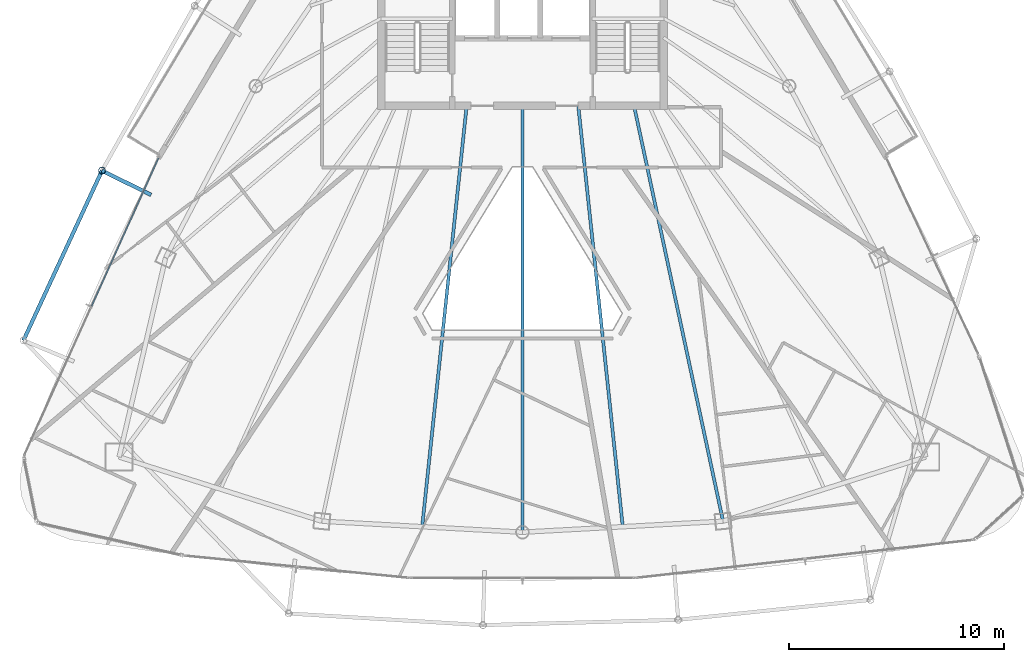
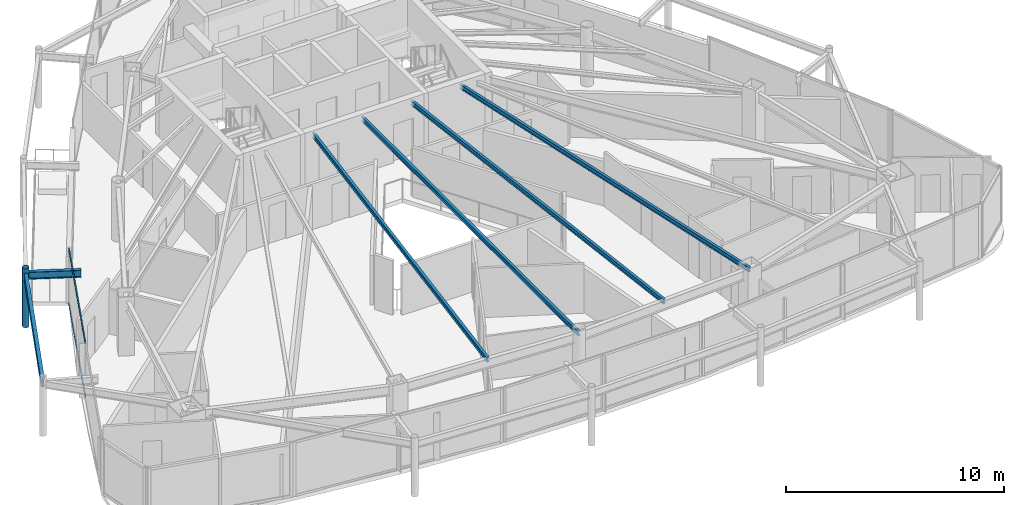
# One storey, part 10 of 33: 6 beams, 3 members, 1 element without a shape of its own.
"""IFC4 building model written with IfcOpenShell, lengths in metres."""

from ifc_helpers import new_model, si_unit, direction, frame, origin, origin_2d, place, context, subcontext, project, spatial, hollow_rectangle, hollow_circle, i_section, extrude, material, layer, layer_set, material_profile, profile_set, type_object, element, aggregate, save


model = new_model("IFC4")

# Units and contexts
model_context = context("Model", 3, precision=1e-05, world=origin(), true_north=direction((0.0, 1.0)))
body_context = subcontext(model_context, "Body", "Model", "MODEL_VIEW")
ifc_project = project(units=[si_unit("LENGTHUNIT", "METRE"), si_unit("AREAUNIT", "SQUARE_METRE"), si_unit("VOLUMEUNIT", "CUBIC_METRE"), si_unit("PLANEANGLEUNIT", "RADIAN"), si_unit("MASSUNIT", "GRAM", prefix="KILO")], contexts=[model_context])

# Site, building, storey
site_placement = place(None, origin())
site = spatial("IfcSite", under=ifc_project, at=site_placement, CompositionType="ELEMENT")
building_placement = place(site_placement, origin())
building = spatial("IfcBuilding", under=site, at=building_placement, Name="Orvanel Arch Residences", CompositionType="ELEMENT")
storey_placement = place(building_placement, frame((0.0, 0.0, 206.300048828125)))
storey = spatial("IfcBuildingStorey", under=building, at=storey_placement, Name="L58", CompositionType="ELEMENT", Elevation=206.300048828125)

# Beams
ifc_material_1 = material(Name="Structural steel AS/NZS 3679.1 Grade 300 (300 MPa)", Category="steel")
ifc_material_profile_1 = material_profile(ifc_material_1, i_section(OverallWidth=0.14599609375, OverallDepth=0.251953125, WebThickness=0.006103515625, FlangeThickness=0.008544921875, at=origin_2d()), Name="250UB31.4")
ifc_profile_set_1 = profile_set([ifc_material_profile_1], Name="Structural steel AS/NZS 3679.1 Grade 300 (300 MPa)")
beam_type_1 = type_object("IfcBeamType", Name="BJ-250UB", PredefinedType="JOIST", material=ifc_profile_set_1)
beam_1_placement = place(storey_placement, frame((38.199951171875, 26.72509765625, 2.933837890625), z_axis=(0.209547604985, -0.977798446125, 0.0), x_axis=(0.977798446125, 0.209547604985, 0.0)))
element("IfcBeam", 1, at=beam_1_placement, inside=storey, type_object=beam_type_1, Name="L58 SE Wing Floor Joist", PredefinedType="JOIST", context=body_context, shape_type="SweptSolid", body=[
    extrude(i_section(OverallWidth=0.14599609375, OverallDepth=0.251953125, WebThickness=0.006103515625, FlangeThickness=0.008544921875, at=origin_2d()), origin(), (0.0, 0.0, 1.0), 19.809814453125),
])
beam_2_placement = place(storey_placement, frame((33.0, 26.72509765625, 2.933837890625), z_axis=(0.0, -1.0, 0.0), x_axis=(1.0, 0.0, 0.0)))
element("IfcBeam", 2, at=beam_2_placement, inside=storey, type_object=beam_type_1, Name="L58 SSW Wing Floor Joist", PredefinedType="JOIST", context=body_context, shape_type="SweptSolid", body=[
    extrude(i_section(OverallWidth=0.14599609375, OverallDepth=0.251953125, WebThickness=0.006103515625, FlangeThickness=0.008544921875, at=origin_2d()), origin(), (0.0, 0.0, 1.0), 19.881103515625),
])
for number, where, z_axis, x_axis, name in (
    (3, (30.39990234375, 26.72509765625, 2.933837890625), (-0.105143936131, -0.994457014, 0.0), (0.994457014, -0.105143936131, 0.0), "L58 WSW2 Wing Floor Joist"),
    (4, (35.60009765625, 26.72509765625, 2.933837890625), (0.105143936131, -0.994457014, 0.0), (0.994457014, 0.105143936131, 0.0), "L58 ESE2 Wing Floor Joist"),
):
    element("IfcBeam", number, at=place(storey_placement, frame(where, z_axis=z_axis, x_axis=x_axis)), inside=storey, type_object=beam_type_1, Name=name, PredefinedType="JOIST", context=body_context, shape_type="SweptSolid", body=[
        extrude(i_section(OverallWidth=0.14599609375, OverallDepth=0.251953125, WebThickness=0.006103515625, FlangeThickness=0.008544921875, at=origin_2d()), origin(), (0.0, 0.0, 1.0), 19.734375),
    ])
ifc_material_profile_2 = material_profile(ifc_material_1, i_section(OverallWidth=0.177978515625, OverallDepth=0.406005859375, WebThickness=0.0078125, FlangeThickness=0.0126953125, at=origin_2d()), Name="410UB59.7")
ifc_profile_set_2 = profile_set([ifc_material_profile_2], Name="Structural steel AS/NZS 3679.1 Grade 300 (300 MPa)")
beam_type_2 = type_object("IfcBeamType", Name="OB-410UB-EXT", PredefinedType="SPANDREL", material=ifc_profile_set_2)
beam_3_placement = place(storey_placement, frame((15.68701171875, 22.568115234375, 2.85693359375), z_axis=(-0.896712689683, 0.442613095335, 0.0), x_axis=(-0.442613095335, -0.896712689683, 0.0)))
element("IfcBeam", 5, at=beam_3_placement, inside=storey, type_object=beam_type_2, Name="L58 Outer Frame Radial Tie Beam 03", PredefinedType="SPANDREL", context=body_context, shape_type="SweptSolid", body=[
    extrude(i_section(OverallWidth=0.177978515625, OverallDepth=0.406005859375, WebThickness=0.0078125, FlangeThickness=0.0126953125, at=origin_2d()), origin(), (0.0, 0.0, 1.0), 2.550537109375),
])
beam_4_placement = place(storey_placement, frame((13.39990234375, 23.697021484375, 2.85693359375), z_axis=(-0.419830567952, -0.907602497911, 0.0), x_axis=(0.907602497911, -0.419830567952, 0.0)))
element("IfcBeam", 6, at=beam_4_placement, inside=storey, type_object=beam_type_2, Name="L58 Outer Perimeter Floor Ring Beam 03", PredefinedType="SPANDREL", context=body_context, shape_type="SweptSolid", body=[
    extrude(i_section(OverallWidth=0.177978515625, OverallDepth=0.406005859375, WebThickness=0.0078125, FlangeThickness=0.0126953125, at=origin_2d()), origin(), (0.0, 0.0, 1.0), 8.717529296875),
])

# Member
ifc_material_2 = material(Name="Structural steel AS/NZS 1163 C350L0 (Grade 350)", Category="steel")
ifc_material_profile_3 = material_profile(ifc_material_2, hollow_circle(Radius=0.162109375, WallThickness=0.0126953125, at=origin_2d()), Name="CHS324x12.7")
ifc_profile_set_3 = profile_set([ifc_material_profile_3], Name="Structural steel AS/NZS 1163 C350L0 (Grade 350)")
member_type_1 = type_object("IfcMemberType", Name="ST-324CHS-EXT", PredefinedType="STRUT", material=ifc_profile_set_3)
member_1_placement = place(storey_placement, frame((13.39990234375, 23.697021484375, 0.0), z_axis=(0.0, 0.0, 1.0), x_axis=(1.0, 0.0, 0.0)))
element("IfcMember", 7, at=member_1_placement, inside=storey, type_object=member_type_1, Name="L58 Outer Perimeter Frame Post 03", PredefinedType="STRUT", context=body_context, shape_type="SweptSolid", body=[
    extrude(hollow_circle(Radius=0.162109375, WallThickness=0.0126953125, at=origin_2d()), origin(), (0.0, 0.0, 1.0), 3.300048828125),
])

# Curtain wall, members
ifc_material_3 = material(Name="Bronze-anodised aluminium AA6063-T6", Category="aluminium")
ifc_layer = layer(ifc_material_3, 0.175048828125)
ifc_layer_set = layer_set([ifc_layer], Name="Bronze-anodised aluminium AA6063-T6")
curtain_wall_type = type_object("IfcCurtainWallType", Name="CW4-HI-SYS", PredefinedType="NOTDEFINED", material=ifc_layer_set)
curtain_wall_placement = place(storey_placement, origin())
curtain_wall = element("IfcCurtainWall", 8, at=curtain_wall_placement, inside=storey, type_object=curtain_wall_type, Name="L58 CW4-HI-SYS Unitised Curtain Wall", PredefinedType="NOTDEFINED")
ifc_material_profile_4 = material_profile(ifc_material_3, hollow_rectangle(XDim=0.06005859375, YDim=0.1201171875, WallThickness=0.00341796875, at=origin_2d()), Name="ALU120x60x3.5")
ifc_profile_set_4 = profile_set([ifc_material_profile_4], Name="Bronze-anodised aluminium AA6063-T6")
member_type_2 = type_object("IfcMemberType", Name="TRN-120x60", PredefinedType="USERDEFINED", material=ifc_profile_set_4)
member_2_placement = place(storey_placement, frame((16.033203125, 24.28173828125, 0.030029296875), z_axis=(-0.41152620451, -0.911397927912, 0.0), x_axis=(0.911397927912, -0.41152620451, 0.0)))
member_2 = element("IfcMember", 9, at=member_2_placement, type_object=member_type_2, Name="CW-S4 transom 1.1", ObjectType="TRANSOM", PredefinedType="USERDEFINED", context=body_context, shape_type="SweptSolid", body=[
    extrude(hollow_rectangle(XDim=0.06005859375, YDim=0.1201171875, WallThickness=0.00341796875, at=origin_2d()), origin(), (0.0, 0.0, 1.0), 7.56640625),
])
member_3_placement = place(storey_placement, frame((16.033203125, 24.28173828125, 3.030029296875), z_axis=(-0.41152620451, -0.911397927912, 0.0), x_axis=(0.911397927912, -0.41152620451, 0.0)))
member_3 = element("IfcMember", 10, at=member_3_placement, type_object=member_type_2, Name="CW-S4 transom 1.2", ObjectType="TRANSOM", PredefinedType="USERDEFINED", context=body_context, shape_type="SweptSolid", body=[
    extrude(hollow_rectangle(XDim=0.06005859375, YDim=0.1201171875, WallThickness=0.00341796875, at=origin_2d()), origin(), (0.0, 0.0, 1.0), 7.56640625),
])
aggregate(curtain_wall, [member_2, member_3])

save(model, "model.ifc")
